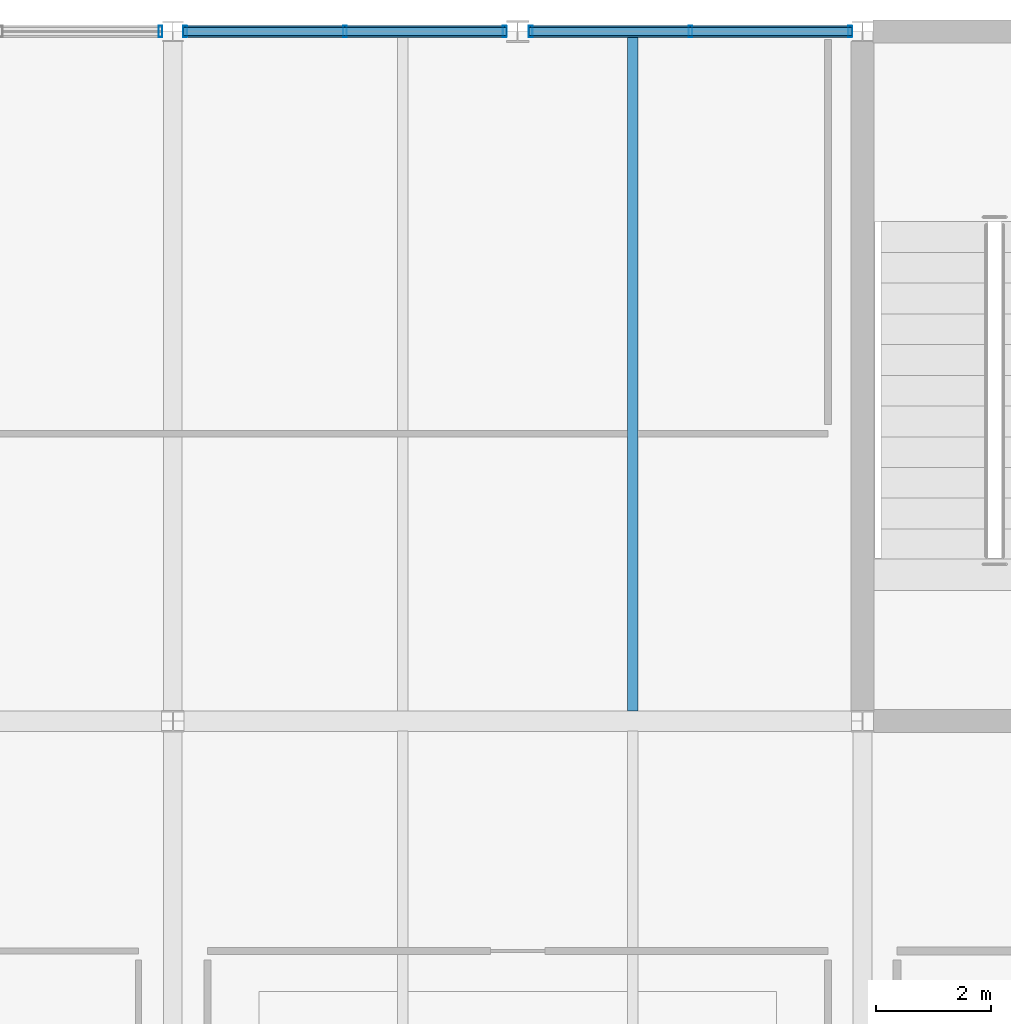
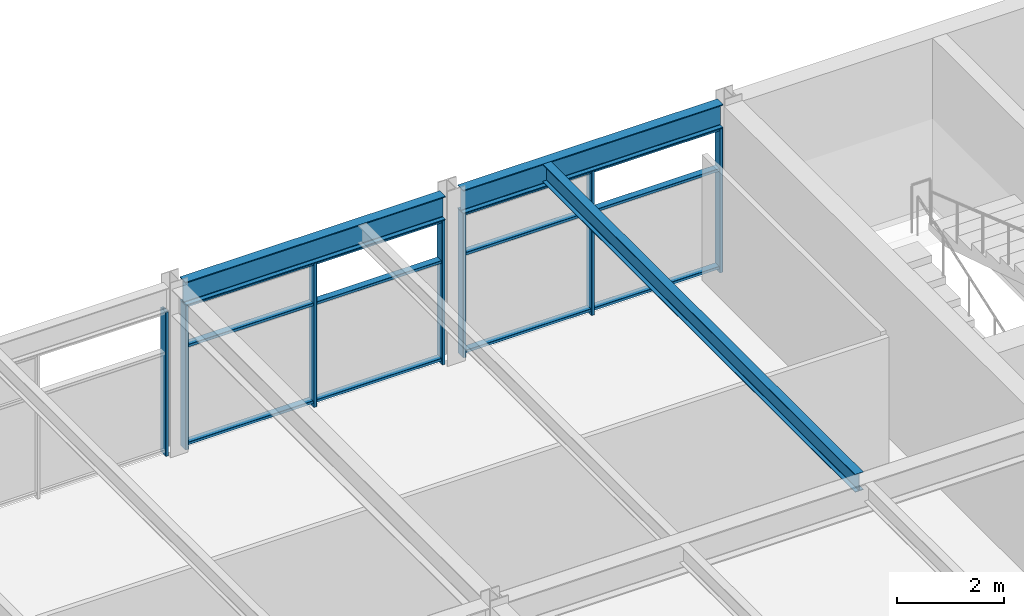
# One storey, part 19 of 30: 13 members, 3 beams, 3 elements without a shape of their own.
"""IFC4 building model written with IfcOpenShell, lengths in metres."""

import ifcopenshell
import ifcopenshell.guid

model = None  # the IFC model being written
_history = None  # IfcOwnerHistory: only IFC2X3 demands one
_inside = {}  # id of a spatial element -> (the spatial element, [elements in it])
_under = {}  # id of a project, library or spatial element -> (it, [spatial elements below it])
_declared = {}  # id of a project -> (the project, [libraries it declares])
_typed = {}  # id of a type object -> (the type object, [elements of that type])
_made_of = {}  # id of a material, layer set ... -> (it, [elements and type objects made of it])


def new_model(schema):
    """Start an empty IFC model of exactly this schema.

    Asked for "IFC4X3", IfcOpenShell would pick the latest addendum, in which some entities
    have other attributes; the version numbers below select the first issue.
    IFC2X3 requires an IfcOwnerHistory on every rooted entity: one is made here for all.
    """
    global model, _history
    if schema == "IFC4X3":
        model = ifcopenshell.file(schema_version=(4, 3, 0, 0))
    else:
        model = ifcopenshell.file(schema=schema)
    _inside.clear()
    _under.clear()
    _declared.clear()
    _typed.clear()
    _made_of.clear()
    _history = None
    if model.schema == "IFC2X3":
        org = make("IfcOrganization", Name="unknown")
        user = make(
            "IfcPersonAndOrganization",
            ThePerson=make("IfcPerson", FamilyName="unknown"),
            TheOrganization=org,
        )
        app = make(
            "IfcApplication",
            ApplicationDeveloper=org,
            Version="unknown",
            ApplicationFullName="unknown",
            ApplicationIdentifier="unknown",
        )
        _history = make(
            "IfcOwnerHistory",
            OwningUser=user,
            OwningApplication=app,
            ChangeAction="ADDED",
            CreationDate=0,
        )
    return model


def make(cls, **values):
    """One entity of the class cls with the attributes given. An attribute that is None is left unset."""
    return model.create_entity(
        cls, **{name: value for name, value in values.items() if value is not None}
    )


def rooted(cls, **values):
    """An entity with a GlobalId (a new one), such as an element, a storey or a relation."""
    return make(cls, GlobalId=ifcopenshell.guid.new(), OwnerHistory=_history, **values)


def si_unit(unit_type, name, prefix=None):
    """IfcSIUnit, for example si_unit("LENGTHUNIT", "METRE", prefix="MILLI")."""
    return make("IfcSIUnit", UnitType=unit_type, Prefix=prefix, Name=name)


def assignment(units):
    """IfcUnitAssignment: the units of a project."""
    return None if units is None else make("IfcUnitAssignment", Units=units)


def point(xyz):
    """IfcCartesianPoint."""
    return None if xyz is None else make("IfcCartesianPoint", Coordinates=xyz)


def direction(xyz):
    """IfcDirection."""
    return None if xyz is None else make("IfcDirection", DirectionRatios=xyz)


def frame(location, z_axis=None, x_axis=None):
    """IfcAxis2Placement3D, a coordinate frame: its origin and axes. An axis left out is left unset."""
    return make(
        "IfcAxis2Placement3D",
        Location=point(location),
        Axis=direction(z_axis),
        RefDirection=direction(x_axis),
    )


def frame_2d(location, x_axis=None):
    """IfcAxis2Placement2D, a coordinate frame in the plane: its origin and x axis."""
    return make(
        "IfcAxis2Placement2D", Location=point(location), RefDirection=direction(x_axis)
    )


def origin():
    """The frame at (0, 0, 0) with its axes left unset."""
    return frame((0.0, 0.0, 0.0))


def origin_2d():
    """The frame at (0, 0) in the plane with its x axis left unset."""
    return frame_2d((0.0, 0.0))


def place(relative_to, where):
    """IfcLocalPlacement: puts the frame where relative to a parent placement (None: the world)."""
    return make(
        "IfcLocalPlacement", PlacementRelTo=relative_to, RelativePlacement=where
    )


def context(
    kind, dimensions, precision=None, world=None, true_north=None, identifier=None
):
    """IfcGeometricRepresentationContext, for example the 3D "Model" context."""
    return make(
        "IfcGeometricRepresentationContext",
        ContextIdentifier=identifier,
        ContextType=kind,
        CoordinateSpaceDimension=dimensions,
        Precision=precision,
        WorldCoordinateSystem=world,
        TrueNorth=true_north,
    )


def subcontext(parent, identifier, kind, view, scale=None):
    """IfcGeometricRepresentationSubContext, for example "Body" below "Model"."""
    return make(
        "IfcGeometricRepresentationSubContext",
        ContextIdentifier=identifier,
        ContextType=kind,
        ParentContext=parent,
        TargetScale=scale,
        TargetView=view,
    )


def project(units=None, contexts=None):
    """IfcProject with its units and contexts."""
    return rooted(
        "IfcProject",
        Name="project",
        RepresentationContexts=contexts,
        UnitsInContext=assignment(units),
    )


def spatial(cls, under=None, at=None, **own):
    """A site, building, storey or space (cls), placed at a placement, below another one or the project."""
    s = rooted(cls, ObjectPlacement=at, **own)
    if under is not None:
        _under.setdefault(under.id(), (under, []))[1].append(s)
    return s


def profile(cls, at=None, kind="AREA", **sizes):
    """A parametric profile (cls). Its sizes go by their IFC names, for example OverallWidth=200.0."""
    return make(cls, ProfileType=kind, Position=at, **sizes)


def hollow_rectangle(**sizes):
    """IfcRectangleHollowProfileDef."""
    return profile("IfcRectangleHollowProfileDef", **sizes)


def i_section(**sizes):
    """IfcIShapeProfileDef."""
    return profile("IfcIShapeProfileDef", **sizes)


def extrude(swept, where, along, depth):
    """IfcExtrudedAreaSolid: the profile swept, set in the frame where, extruded along a direction by depth."""
    return make(
        "IfcExtrudedAreaSolid",
        SweptArea=swept,
        Position=where,
        ExtrudedDirection=direction(along),
        Depth=depth,
    )


def shape(context_of_items, identifier, shape_type, items):
    """IfcShapeRepresentation: the items that make up one representation, for example the "Body"."""
    return make(
        "IfcShapeRepresentation",
        ContextOfItems=context_of_items,
        RepresentationIdentifier=identifier,
        RepresentationType=shape_type,
        Items=items,
    )


def material(Name=None, Category=None):
    """IfcMaterial."""
    return make("IfcMaterial", Name=Name, Category=Category)


def material_profile(
    of_material, cross_section, Name=None, Category=None, Priority=None
):
    """IfcMaterialProfile: a cross section and its material."""
    return make(
        "IfcMaterialProfile",
        Name=Name,
        Material=of_material,
        Profile=cross_section,
        Priority=Priority,
        Category=Category,
    )


def profile_set(profiles, Name=None, composite=None):
    """IfcMaterialProfileSet."""
    return make(
        "IfcMaterialProfileSet",
        Name=Name,
        MaterialProfiles=profiles,
        CompositeProfile=composite,
    )


def made_of(thing, what):
    """Note that an element or type object is made of a material, layer set ...; save() writes the relation."""
    if what is not None:
        _made_of.setdefault(what.id(), (what, []))[1].append(thing)
    return thing


def type_object(cls, material=None, **own):
    """A type object (cls), such as IfcWallType, which elements share."""
    return made_of(rooted(cls, **own), material)


def element(
    cls,
    number,
    at=None,
    inside=None,
    cuts=None,
    type_object=None,
    material=None,
    context=None,
    identifier="Body",
    shape_type=None,
    held_by="IfcProductDefinitionShape",
    body=None,
    shapes=None,
    **own,
):
    """One element of the class cls, such as IfcWall. Its Tag is "e" and its number.

    at: its placement. inside: the storey or other place that contains it. cuts: it is an
    opening in that element (IfcRelVoidsElement). A single representation is given by context,
    identifier, shape_type and body (its items); several are given by shapes. held_by: the class
    of the entity that holds the representations. save() writes the other relations.
    """
    e = rooted(cls, Tag="e%d" % number, ObjectPlacement=at, **own)
    if body is not None:
        shapes = [shape(context, identifier, shape_type, body)]
    if shapes is not None:
        e.Representation = make(held_by, Representations=shapes)
    if inside is not None:
        _inside.setdefault(inside.id(), (inside, []))[1].append(e)
    if cuts is not None:
        rooted(
            "IfcRelVoidsElement", RelatingBuildingElement=cuts, RelatedOpeningElement=e
        )
    if type_object is not None:
        _typed.setdefault(type_object.id(), (type_object, []))[1].append(e)
    return made_of(e, material)


def aggregate(whole, parts):
    """IfcRelAggregates: a whole, such as a stair, and the parts it consists of."""
    return rooted("IfcRelAggregates", RelatingObject=whole, RelatedObjects=parts)


def save(model, path):
    """Write the relations noted so far, then the file.

    IfcRelAggregates (storeys below a building ...), IfcRelContainedInSpatialStructure (elements
    in a storey), IfcRelDefinesByType, IfcRelAssociatesMaterial and IfcRelDeclares: one each for
    every whole, place, type object, material and project.
    """
    for whole, parts in _under.values():
        aggregate(whole, parts)
    for where, things in _inside.values():
        rooted(
            "IfcRelContainedInSpatialStructure",
            RelatedElements=things,
            RelatingStructure=where,
        )
    for kind, things in _typed.values():
        rooted("IfcRelDefinesByType", RelatedObjects=things, RelatingType=kind)
    for what, things in _made_of.values():
        rooted("IfcRelAssociatesMaterial", RelatedObjects=things, RelatingMaterial=what)
    for by, libraries in _declared.values():
        rooted("IfcRelDeclares", RelatingContext=by, RelatedDefinitions=libraries)
    model.write(path)


model = new_model("IFC4")

# Units and contexts
model_context = context("Model", 3, precision=1e-05, world=origin(), true_north=direction((0.0, 1.0)))
body_context = subcontext(model_context, "Body", "Model", "MODEL_VIEW")
ifc_project = project(units=[si_unit("LENGTHUNIT", "METRE"), si_unit("AREAUNIT", "SQUARE_METRE"), si_unit("VOLUMEUNIT", "CUBIC_METRE"), si_unit("PLANEANGLEUNIT", "RADIAN"), si_unit("MASSUNIT", "GRAM", prefix="KILO")], contexts=[model_context])

# Site, building, storey
site_placement = place(None, origin())
site = spatial("IfcSite", under=ifc_project, at=site_placement, CompositionType="ELEMENT")
building_placement = place(site_placement, origin())
building = spatial("IfcBuilding", under=site, at=building_placement, Name="Girod Span Mobility Hub", CompositionType="ELEMENT")
storey_placement = place(building_placement, frame((0.0, 0.0, 49.60009765625)))
storey = spatial("IfcBuildingStorey", under=building, at=storey_placement, Name="L12", CompositionType="ELEMENT", Elevation=49.60009765625)

# Beams
ifc_material_1 = material(Name="Steel A992 Grade 50", Category="steel")
ifc_material_profile_1 = material_profile(ifc_material_1, i_section(OverallWidth=0.178955078125, OverallDepth=0.409912109375, WebThickness=0.0087890625, FlangeThickness=0.014404296875, FilletRadius=0.012939453125, at=origin_2d()), Name="W16X45")
ifc_profile_set_1 = profile_set([ifc_material_profile_1], Name="Steel A992 Grade 50")
beam_type_1 = type_object("IfcBeamType", Name="BM-STL-W16X45", PredefinedType="BEAM", material=ifc_profile_set_1)
beam_placement = place(storey_placement, frame((104.0, 57.174560546875, 3.639892578125), z_axis=(0.0, 1.0, 0.0), x_axis=(-1.0, 0.0, 0.0)))
element("IfcBeam", 1, at=beam_placement, inside=storey, type_object=beam_type_1, Name="Composite Floorbeam 9/E-2 L12", PredefinedType="BEAM", context=body_context, shape_type="SweptSolid", body=[
    extrude(i_section(OverallWidth=0.178955078125, OverallDepth=0.409912109375, WebThickness=0.0087890625, FlangeThickness=0.014404296875, FilletRadius=0.012939453125, at=origin_2d()), origin(), (0.0, 0.0, 1.0), 11.722412109375),
])
ifc_material_2 = material(Name="Steel A992 Grade 50", Category="steel")
ifc_material_profile_2 = material_profile(ifc_material_2, i_section(OverallWidth=0.2119140625, OverallDepth=0.5439453125, WebThickness=0.01318359375, FlangeThickness=0.021240234375, FilletRadius=0.014892578125, at=origin_2d()), Name="W21X83")
ifc_profile_set_2 = profile_set([ifc_material_profile_2], Name="Steel A992 Grade 50")
beam_type_2 = type_object("IfcBeamType", Name="BM-STL-W21X83", PredefinedType="SPANDREL", material=ifc_profile_set_2)
for number, where, z_axis, x_axis, name in (
    (2, (96.181396484375, 69.0, 3.572998046875), (1.0, 0.0, 0.0), (0.0, 1.0, 0.0), "Spandrel Beam 9-10/F-W L12"),
    (3, (102.194091796875, 69.0, 3.572998046875), (1.0, 0.0, 0.0), (0.0, 1.0, 0.0), "Spandrel Beam 9-10/F-E L12"),
):
    element("IfcBeam", number, at=place(storey_placement, frame(where, z_axis=z_axis, x_axis=x_axis)), inside=storey, type_object=beam_type_2, Name=name, PredefinedType="SPANDREL", context=body_context, shape_type="SweptSolid", body=[
        extrude(i_section(OverallWidth=0.2119140625, OverallDepth=0.5439453125, WebThickness=0.01318359375, FlangeThickness=0.021240234375, FilletRadius=0.014892578125, at=origin_2d()), origin(), (0.0, 0.0, 1.0), 5.62451171875),
    ])

# Curtain wall, member
ifc_material_3 = material(Name="Thermally Broken Anodised Aluminium", Category="aluminium")
curtain_wall_type = type_object("IfcCurtainWallType", Name="CW-562X330", PredefinedType="USERDEFINED", material=ifc_material_3)
curtain_wall_1_placement = place(storey_placement, origin())
curtain_wall_1 = element("IfcCurtainWall", 4, at=curtain_wall_1_placement, inside=storey, type_object=curtain_wall_type, Name="Unitised Curtain Wall CW-L12-N08E L12", ObjectType="UNITISED CURTAIN WALL", PredefinedType="USERDEFINED")
ifc_material_4 = material(Name="Thermally Broken Anodised Aluminium", Category="aluminium")
ifc_material_profile_3 = material_profile(ifc_material_4, hollow_rectangle(XDim=0.199951171875, YDim=0.06494140625, WallThickness=0.00390625, InnerFilletRadius=0.00390625, OuterFilletRadius=0.008056640625, at=origin_2d()), Name="CW-ML-65X200")
ifc_profile_set_3 = profile_set([ifc_material_profile_3], Name="Thermally Broken Anodised Aluminium")
member_type_1 = type_object("IfcMemberType", Name="CWM-ML-1", PredefinedType="MULLION", material=ifc_profile_set_3)
member_1_placement = place(storey_placement, frame((95.785400390625, 69.0, 0.0), z_axis=(0.0, 0.0, 1.0), x_axis=(0.0, 1.0, 0.0)))
member_1 = element("IfcMember", 5, at=member_1_placement, type_object=member_type_1, Name="Curtain Wall Mullion CW-L12-N08E-M2", PredefinedType="MULLION", context=body_context, shape_type="SweptSolid", body=[
    extrude(hollow_rectangle(XDim=0.199951171875, YDim=0.06494140625, WallThickness=0.00390625, InnerFilletRadius=0.00390625, OuterFilletRadius=0.008056640625, at=origin_2d()), origin(), (0.0, 0.0, 1.0), 3.30078125),
])
aggregate(curtain_wall_1, [member_1])

# Curtain wall, members
curtain_wall_2_placement = place(storey_placement, origin())
curtain_wall_2 = element("IfcCurtainWall", 6, at=curtain_wall_2_placement, inside=storey, type_object=curtain_wall_type, Name="Unitised Curtain Wall CW-L12-N09W L12", ObjectType="UNITISED CURTAIN WALL", PredefinedType="USERDEFINED")
member_2_placement = place(storey_placement, frame((96.214599609375, 69.0, 0.0), z_axis=(0.0, 0.0, 1.0), x_axis=(0.0, 1.0, 0.0)))
member_2 = element("IfcMember", 7, at=member_2_placement, type_object=member_type_1, Name="Curtain Wall Mullion CW-L12-N09W-M0", PredefinedType="MULLION", context=body_context, shape_type="SweptSolid", body=[
    extrude(hollow_rectangle(XDim=0.199951171875, YDim=0.06494140625, WallThickness=0.00390625, InnerFilletRadius=0.00390625, OuterFilletRadius=0.008056640625, at=origin_2d()), origin(), (0.0, 0.0, 1.0), 3.30078125),
])
member_3_placement = place(storey_placement, frame((98.993896484375, 69.0, 0.0), z_axis=(0.0, 0.0, 1.0), x_axis=(0.0, 1.0, 0.0)))
member_3 = element("IfcMember", 8, at=member_3_placement, type_object=member_type_1, Name="Curtain Wall Mullion CW-L12-N09W-M1", PredefinedType="MULLION", context=body_context, shape_type="SweptSolid", body=[
    extrude(hollow_rectangle(XDim=0.199951171875, YDim=0.06494140625, WallThickness=0.00390625, InnerFilletRadius=0.00390625, OuterFilletRadius=0.008056640625, at=origin_2d()), origin(), (0.0, 0.0, 1.0), 3.30078125),
])
member_4_placement = place(storey_placement, frame((101.77294921875, 69.0, 0.0), z_axis=(0.0, 0.0, 1.0), x_axis=(0.0, 1.0, 0.0)))
member_4 = element("IfcMember", 9, at=member_4_placement, type_object=member_type_1, Name="Curtain Wall Mullion CW-L12-N09W-M2", PredefinedType="MULLION", context=body_context, shape_type="SweptSolid", body=[
    extrude(hollow_rectangle(XDim=0.199951171875, YDim=0.06494140625, WallThickness=0.00390625, InnerFilletRadius=0.00390625, OuterFilletRadius=0.008056640625, at=origin_2d()), origin(), (0.0, 0.0, 1.0), 3.30078125),
])

curtain_wall_3_placement = place(storey_placement, origin())
curtain_wall_3 = element("IfcCurtainWall", 10, at=curtain_wall_3_placement, inside=storey, type_object=curtain_wall_type, Name="Unitised Curtain Wall CW-L12-N09E L12", ObjectType="UNITISED CURTAIN WALL", PredefinedType="USERDEFINED")
member_5_placement = place(storey_placement, frame((102.22705078125, 69.0, 0.0), z_axis=(0.0, 0.0, 1.0), x_axis=(0.0, 1.0, 0.0)))
member_5 = element("IfcMember", 11, at=member_5_placement, type_object=member_type_1, Name="Curtain Wall Mullion CW-L12-N09E-M0", PredefinedType="MULLION", context=body_context, shape_type="SweptSolid", body=[
    extrude(hollow_rectangle(XDim=0.199951171875, YDim=0.06494140625, WallThickness=0.00390625, InnerFilletRadius=0.00390625, OuterFilletRadius=0.008056640625, at=origin_2d()), origin(), (0.0, 0.0, 1.0), 3.30078125),
])
member_6_placement = place(storey_placement, frame((105.006103515625, 69.0, 0.0), z_axis=(0.0, 0.0, 1.0), x_axis=(0.0, 1.0, 0.0)))
member_6 = element("IfcMember", 12, at=member_6_placement, type_object=member_type_1, Name="Curtain Wall Mullion CW-L12-N09E-M1", PredefinedType="MULLION", context=body_context, shape_type="SweptSolid", body=[
    extrude(hollow_rectangle(XDim=0.199951171875, YDim=0.06494140625, WallThickness=0.00390625, InnerFilletRadius=0.00390625, OuterFilletRadius=0.008056640625, at=origin_2d()), origin(), (0.0, 0.0, 1.0), 3.30078125),
])
member_7_placement = place(storey_placement, frame((107.785400390625, 69.0, 0.0), z_axis=(0.0, 0.0, 1.0), x_axis=(0.0, 1.0, 0.0)))
member_7 = element("IfcMember", 13, at=member_7_placement, type_object=member_type_1, Name="Curtain Wall Mullion CW-L12-N09E-M2", PredefinedType="MULLION", context=body_context, shape_type="SweptSolid", body=[
    extrude(hollow_rectangle(XDim=0.199951171875, YDim=0.06494140625, WallThickness=0.00390625, InnerFilletRadius=0.00390625, OuterFilletRadius=0.008056640625, at=origin_2d()), origin(), (0.0, 0.0, 1.0), 3.30078125),
])

# Member
ifc_material_5 = material(Name="Thermally Broken Anodised Aluminium", Category="aluminium")
ifc_material_profile_4 = material_profile(ifc_material_5, hollow_rectangle(XDim=0.14990234375, YDim=0.06494140625, WallThickness=0.00390625, InnerFilletRadius=0.00390625, OuterFilletRadius=0.008056640625, at=origin_2d()), Name="CW-TR-65X150")
ifc_profile_set_4 = profile_set([ifc_material_profile_4], Name="Thermally Broken Anodised Aluminium")
member_type_2 = type_object("IfcMemberType", Name="CWM-TR-1", PredefinedType="USERDEFINED", material=ifc_profile_set_4)
member_8_placement = place(storey_placement, frame((96.1826171875, 69.0, 0.107421875), z_axis=(1.0, 0.0, 0.0), x_axis=(0.0, 1.0, 0.0)))
member_8 = element("IfcMember", 14, at=member_8_placement, type_object=member_type_2, Name="Curtain Wall Transom CW-L12-N09W-T1", ObjectType="TRANSOM", PredefinedType="USERDEFINED", context=body_context, shape_type="SweptSolid", body=[
    extrude(hollow_rectangle(XDim=0.14990234375, YDim=0.06494140625, WallThickness=0.00390625, InnerFilletRadius=0.00390625, OuterFilletRadius=0.008056640625, at=origin_2d()), origin(), (0.0, 0.0, 1.0), 5.622314453125),
])

member_9_placement = place(storey_placement, frame((96.1826171875, 69.0, 2.343994140625), z_axis=(1.0, 0.0, 0.0), x_axis=(0.0, 1.0, 0.0)))
member_9 = element("IfcMember", 15, at=member_9_placement, type_object=member_type_2, Name="Curtain Wall Transom CW-L12-N09W-T2", ObjectType="TRANSOM", PredefinedType="USERDEFINED", context=body_context, shape_type="SweptSolid", body=[
    extrude(hollow_rectangle(XDim=0.14990234375, YDim=0.06494140625, WallThickness=0.00390625, InnerFilletRadius=0.00390625, OuterFilletRadius=0.008056640625, at=origin_2d()), origin(), (0.0, 0.0, 1.0), 5.622314453125),
])

member_10_placement = place(storey_placement, frame((96.1826171875, 69.0, 3.268310546875), z_axis=(1.0, 0.0, 0.0), x_axis=(0.0, 1.0, 0.0)))
member_10 = element("IfcMember", 16, at=member_10_placement, type_object=member_type_2, Name="Curtain Wall Transom CW-L12-N09W-T3", ObjectType="TRANSOM", PredefinedType="USERDEFINED", context=body_context, shape_type="SweptSolid", body=[
    extrude(hollow_rectangle(XDim=0.14990234375, YDim=0.06494140625, WallThickness=0.00390625, InnerFilletRadius=0.00390625, OuterFilletRadius=0.008056640625, at=origin_2d()), origin(), (0.0, 0.0, 1.0), 5.622314453125),
])

aggregate(curtain_wall_2, [member_2, member_3, member_4, member_8, member_9, member_10])

member_11_placement = place(storey_placement, frame((102.195068359375, 69.0, 0.107421875), z_axis=(1.0, 0.0, 0.0), x_axis=(0.0, 1.0, 0.0)))
member_11 = element("IfcMember", 17, at=member_11_placement, type_object=member_type_2, Name="Curtain Wall Transom CW-L12-N09E-T1", ObjectType="TRANSOM", PredefinedType="USERDEFINED", context=body_context, shape_type="SweptSolid", body=[
    extrude(hollow_rectangle(XDim=0.14990234375, YDim=0.06494140625, WallThickness=0.00390625, InnerFilletRadius=0.00390625, OuterFilletRadius=0.008056640625, at=origin_2d()), origin(), (0.0, 0.0, 1.0), 5.622314453125),
])

member_12_placement = place(storey_placement, frame((102.195068359375, 69.0, 2.343994140625), z_axis=(1.0, 0.0, 0.0), x_axis=(0.0, 1.0, 0.0)))
member_12 = element("IfcMember", 18, at=member_12_placement, type_object=member_type_2, Name="Curtain Wall Transom CW-L12-N09E-T2", ObjectType="TRANSOM", PredefinedType="USERDEFINED", context=body_context, shape_type="SweptSolid", body=[
    extrude(hollow_rectangle(XDim=0.14990234375, YDim=0.06494140625, WallThickness=0.00390625, InnerFilletRadius=0.00390625, OuterFilletRadius=0.008056640625, at=origin_2d()), origin(), (0.0, 0.0, 1.0), 5.622314453125),
])

member_13_placement = place(storey_placement, frame((102.195068359375, 69.0, 3.268310546875), z_axis=(1.0, 0.0, 0.0), x_axis=(0.0, 1.0, 0.0)))
member_13 = element("IfcMember", 19, at=member_13_placement, type_object=member_type_2, Name="Curtain Wall Transom CW-L12-N09E-T3", ObjectType="TRANSOM", PredefinedType="USERDEFINED", context=body_context, shape_type="SweptSolid", body=[
    extrude(hollow_rectangle(XDim=0.14990234375, YDim=0.06494140625, WallThickness=0.00390625, InnerFilletRadius=0.00390625, OuterFilletRadius=0.008056640625, at=origin_2d()), origin(), (0.0, 0.0, 1.0), 5.622314453125),
])

aggregate(curtain_wall_3, [member_5, member_6, member_7, member_11, member_12, member_13])

save(model, "model.ifc")
